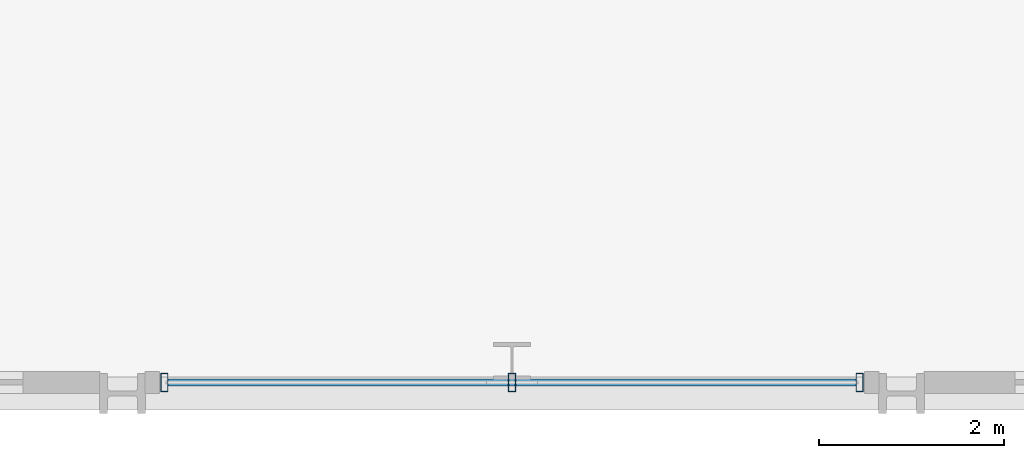
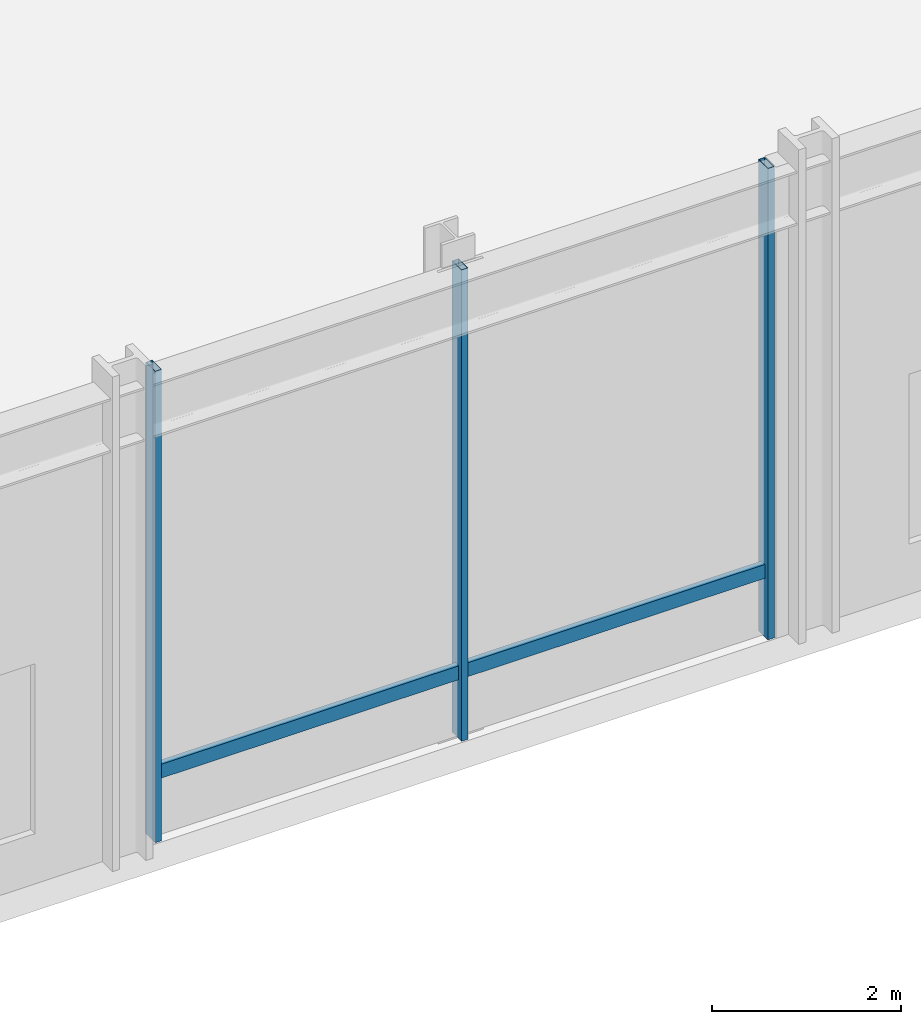
# One storey, part 3 of 20: 4 members, 1 element without a shape of its own.
"""IFC4 building model written with IfcOpenShell, lengths in metres."""

from ifc_helpers import new_model, si_unit, direction, frame, origin, origin_2d, place, context, subcontext, project, spatial, hollow_rectangle, extrude, material, layer, layer_set, material_profile, profile_set, type_object, element, aggregate, save


model = new_model("IFC4")

# Units and contexts
model_context = context("Model", 3, precision=1e-05, world=origin(), true_north=direction((0.0, 1.0)))
body_context = subcontext(model_context, "Body", "Model", "MODEL_VIEW")
ifc_project = project(units=[si_unit("LENGTHUNIT", "METRE"), si_unit("AREAUNIT", "SQUARE_METRE"), si_unit("VOLUMEUNIT", "CUBIC_METRE"), si_unit("PLANEANGLEUNIT", "RADIAN"), si_unit("MASSUNIT", "GRAM", prefix="KILO")], contexts=[model_context])

# Site, building, storey
site_placement = place(None, origin())
site = spatial("IfcSite", under=ifc_project, at=site_placement, CompositionType="ELEMENT")
building_placement = place(site_placement, origin())
building = spatial("IfcBuilding", under=site, at=building_placement, Name="Drelvath Grand Hotel", CompositionType="ELEMENT")
storey_placement = place(building_placement, frame((0.0, 0.0, 10.800048828125)))
storey = spatial("IfcBuildingStorey", under=building, at=storey_placement, Name="L02", CompositionType="ELEMENT", Elevation=10.800048828125)

# Curtain wall, members
ifc_material = material(Name="Dark Bronze Anodised Aluminium Frame", Category="aluminium")
ifc_layer = layer(ifc_material, 0.199951171875)
ifc_layer_set = layer_set([ifc_layer], Name="Dark Bronze Anodised Aluminium Frame")
curtain_wall_type = type_object("IfcCurtainWallType", Name="Stick Curtain Wall CW-01 Dark Bronze Podium", PredefinedType="NOTDEFINED", material=ifc_layer_set)
curtain_wall_placement = place(storey_placement, origin())
curtain_wall = element("IfcCurtainWall", 1, at=curtain_wall_placement, inside=storey, type_object=curtain_wall_type, Name="L02 CW-01 Curtain Wall CW01-L02-SC1", PredefinedType="NOTDEFINED")
ifc_material_profile_1 = material_profile(ifc_material, hollow_rectangle(XDim=0.074951171875, YDim=0.179931640625, WallThickness=0.0048828125, at=origin_2d()), Name="HSS180X75X5")
ifc_profile_set_1 = profile_set([ifc_material_profile_1], Name="Dark Bronze Anodised Aluminium Frame")
member_type_1 = type_object("IfcMemberType", Name="Curtain Wall Horizontal Transom CW-01 HSS180X75X5", PredefinedType="USERDEFINED", material=ifc_profile_set_1)
member_1_placement = place(storey_placement, frame((-0.489990234375, 0.1201171875, 0.849853515625), z_axis=(-1.0, 0.0, 0.0), x_axis=(0.0, -1.0, 0.0)))
member_1 = element("IfcMember", 2, at=member_1_placement, type_object=member_type_1, Name="CW01-L02-SC1 Sill Transom", ObjectType="TRANSOM", PredefinedType="USERDEFINED", context=body_context, shape_type="SweptSolid", body=[
    extrude(hollow_rectangle(XDim=0.074951171875, YDim=0.179931640625, WallThickness=0.0048828125, at=origin_2d()), origin(), (0.0, 0.0, 1.0), 7.419921875),
])
ifc_material_profile_2 = material_profile(ifc_material, hollow_rectangle(XDim=0.080078125, YDim=0.199951171875, WallThickness=0.0048828125, at=origin_2d()), Name="HSS200X80X5")
ifc_profile_set_2 = profile_set([ifc_material_profile_2], Name="Dark Bronze Anodised Aluminium Frame")
member_type_2 = type_object("IfcMemberType", Name="Curtain Wall Vertical Mullion CW-01 HSS200X80X5", PredefinedType="MULLION", material=ifc_profile_set_2)
member_2_placement = place(storey_placement, frame((-0.449951171875, 0.1201171875, 0.0), z_axis=(0.0, 0.0, 1.0), x_axis=(1.0, 0.0, 0.0)))
member_2 = element("IfcMember", 3, at=member_2_placement, type_object=member_type_2, Name="CW01-L02-SC1 Mullion 1", PredefinedType="MULLION", context=body_context, shape_type="SweptSolid", body=[
    extrude(hollow_rectangle(XDim=0.080078125, YDim=0.199951171875, WallThickness=0.0048828125, at=origin_2d()), origin(), (0.0, 0.0, 1.0), 6.099853515625),
])
member_3_placement = place(storey_placement, frame((-4.199951171875, 0.1201171875, 0.0), z_axis=(0.0, 0.0, 1.0), x_axis=(1.0, 0.0, 0.0)))
member_3 = element("IfcMember", 4, at=member_3_placement, type_object=member_type_2, Name="CW01-L02-SC1 Mullion 2", PredefinedType="MULLION", context=body_context, shape_type="SweptSolid", body=[
    extrude(hollow_rectangle(XDim=0.080078125, YDim=0.199951171875, WallThickness=0.0048828125, at=origin_2d()), origin(), (0.0, 0.0, 1.0), 6.099853515625),
])
member_4_placement = place(storey_placement, frame((-7.949951171875, 0.1201171875, 0.0), z_axis=(0.0, 0.0, 1.0), x_axis=(1.0, 0.0, 0.0)))
member_4 = element("IfcMember", 5, at=member_4_placement, type_object=member_type_2, Name="CW01-L02-SC1 Mullion 3", PredefinedType="MULLION", context=body_context, shape_type="SweptSolid", body=[
    extrude(hollow_rectangle(XDim=0.080078125, YDim=0.199951171875, WallThickness=0.0048828125, at=origin_2d()), origin(), (0.0, 0.0, 1.0), 6.099853515625),
])
aggregate(curtain_wall, [member_2, member_3, member_4, member_1])

save(model, "model.ifc")
